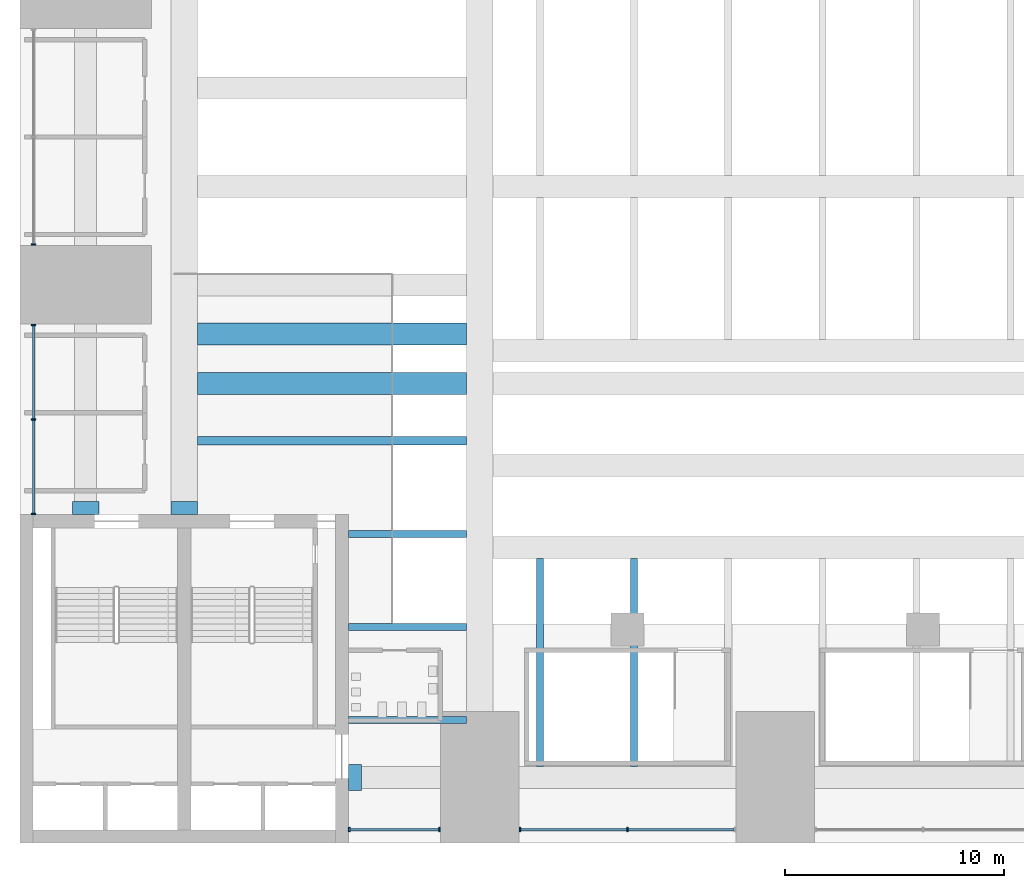
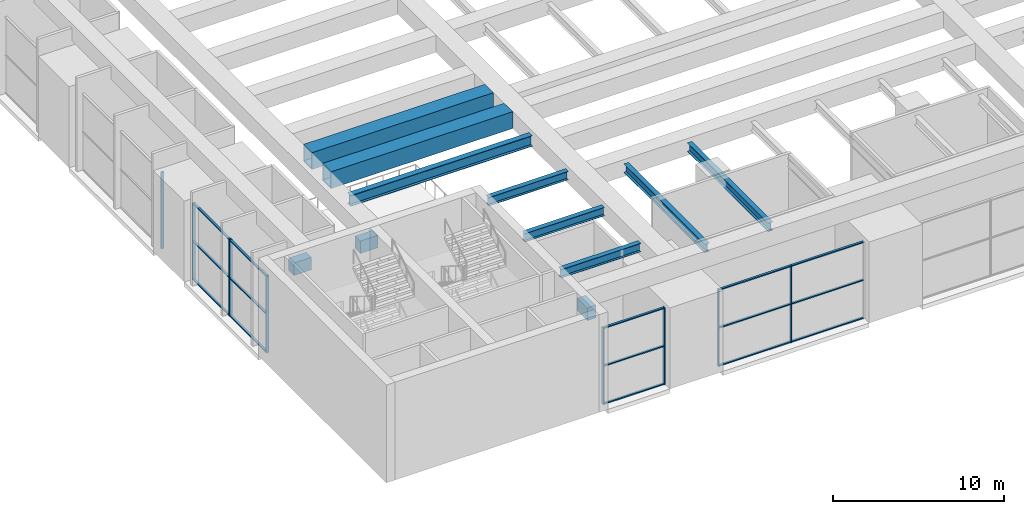
# One storey, part 2 of 45: 28 members, 6 beams, 4 elements without a shape of their own.
"""IFC4 building model written with IfcOpenShell, lengths in metres."""

from ifc_helpers import new_model, si_unit, direction, frame, origin, origin_2d, place, context, subcontext, project, spatial, rectangle, hollow_rectangle, i_section, extrude, material, layer, layer_set, material_profile, profile_set, type_object, element, aggregate, save


model = new_model("IFC4")

# Units and contexts
model_context = context("Model", 3, precision=1e-05, world=origin(), true_north=direction((0.0, 1.0)))
body_context = subcontext(model_context, "Body", "Model", "MODEL_VIEW")
ifc_project = project(units=[si_unit("LENGTHUNIT", "METRE"), si_unit("AREAUNIT", "SQUARE_METRE"), si_unit("VOLUMEUNIT", "CUBIC_METRE"), si_unit("PLANEANGLEUNIT", "RADIAN"), si_unit("MASSUNIT", "GRAM", prefix="KILO")], contexts=[model_context])

# Site, building, storey
site_placement = place(None, origin())
site = spatial("IfcSite", under=ifc_project, at=site_placement, CompositionType="ELEMENT")
building_placement = place(site_placement, origin())
building = spatial("IfcBuilding", under=site, at=building_placement, Name="Corbelhall Arena Tower", CompositionType="ELEMENT")
storey_placement = place(building_placement, frame((0.0, 0.0, 37.0)))
storey = spatial("IfcBuildingStorey", under=building, at=storey_placement, Name="L05", CompositionType="ELEMENT", Elevation=37.0)

# Curtain wall, members
ifc_material_1 = material(Name="Aluminium black anodised", Category="aluminium")
ifc_layer = layer(ifc_material_1, 0.239990234375)
ifc_layer_set = layer_set([ifc_layer], Name="EV-CW4 Arena concourse glazing")
curtain_wall_type = type_object("IfcCurtainWallType", Name="EV-CW4 Arena concourse glazing", PredefinedType="NOTDEFINED", material=ifc_layer_set)
curtain_wall_1_placement = place(storey_placement, origin())
curtain_wall_1 = element("IfcCurtainWall", 1, at=curtain_wall_1_placement, inside=storey, type_object=curtain_wall_type, Name="Curtain wall CW4A", PredefinedType="NOTDEFINED")
ifc_material_profile_1 = material_profile(ifc_material_1, rectangle(XDim=0.199951171875, YDim=0.074951171875, at=origin_2d()))
ifc_profile_set_1 = profile_set([ifc_material_profile_1], Name="Aluminium black anodised")
member_type_1 = type_object("IfcMemberType", Name="EV-CW4-MULLION", PredefinedType="MULLION", material=ifc_profile_set_1)
member_1_placement = place(storey_placement, frame((-32.96240234375, -38.3798828125, 0.0), z_axis=(0.0, 0.0, 1.0), x_axis=(0.0, 1.0, 0.0)))
member_1 = element("IfcMember", 2, at=member_1_placement, type_object=member_type_1, Name="CW4A mullion 1", PredefinedType="MULLION", context=body_context, shape_type="SweptSolid", body=[
    extrude(rectangle(XDim=0.199951171875, YDim=0.074951171875, at=origin_2d()), origin(), (0.0, 0.0, 1.0), 5.5),
])
member_2_placement = place(storey_placement, frame((-28.83740234375, -38.3798828125, 0.0), z_axis=(0.0, 0.0, 1.0), x_axis=(0.0, 1.0, 0.0)))
member_2 = element("IfcMember", 3, at=member_2_placement, type_object=member_type_1, Name="CW4A mullion 2", PredefinedType="MULLION", context=body_context, shape_type="SweptSolid", body=[
    extrude(rectangle(XDim=0.199951171875, YDim=0.074951171875, at=origin_2d()), origin(), (0.0, 0.0, 1.0), 5.5),
])

curtain_wall_2_placement = place(storey_placement, origin())
curtain_wall_2 = element("IfcCurtainWall", 4, at=curtain_wall_2_placement, inside=storey, type_object=curtain_wall_type, Name="Curtain wall CW4", PredefinedType="NOTDEFINED")
member_3_placement = place(storey_placement, frame((-25.16259765625, -38.3798828125, 0.0), z_axis=(0.0, 0.0, 1.0), x_axis=(0.0, 1.0, 0.0)))
member_3 = element("IfcMember", 5, at=member_3_placement, type_object=member_type_1, Name="CW4 mullion 1", PredefinedType="MULLION", context=body_context, shape_type="SweptSolid", body=[
    extrude(rectangle(XDim=0.199951171875, YDim=0.074951171875, at=origin_2d()), origin(), (0.0, 0.0, 1.0), 5.5),
])
member_4_placement = place(storey_placement, frame((-20.25, -38.3798828125, 0.0), z_axis=(0.0, 0.0, 1.0), x_axis=(0.0, 1.0, 0.0)))
member_4 = element("IfcMember", 6, at=member_4_placement, type_object=member_type_1, Name="CW4 mullion 2", PredefinedType="MULLION", context=body_context, shape_type="SweptSolid", body=[
    extrude(rectangle(XDim=0.199951171875, YDim=0.074951171875, at=origin_2d()), origin(), (0.0, 0.0, 1.0), 5.5),
])

# Curtain wall, member
curtain_wall_3_placement = place(storey_placement, origin())
curtain_wall_3 = element("IfcCurtainWall", 7, at=curtain_wall_3_placement, inside=storey, type_object=curtain_wall_type, Name="Curtain wall CW4", PredefinedType="NOTDEFINED")
member_5_placement = place(storey_placement, frame((-47.3798828125, -11.66259765625, 0.0), z_axis=(0.0, 0.0, 1.0), x_axis=(1.0, 0.0, 0.0)))
member_5 = element("IfcMember", 8, at=member_5_placement, type_object=member_type_1, Name="CW4 mullion 3", PredefinedType="MULLION", context=body_context, shape_type="SweptSolid", body=[
    extrude(rectangle(XDim=0.199951171875, YDim=0.074951171875, at=origin_2d()), origin(), (0.0, 0.0, 1.0), 5.5),
])
aggregate(curtain_wall_3, [member_5])

# Curtain wall, members
curtain_wall_4_placement = place(storey_placement, origin())
curtain_wall_4 = element("IfcCurtainWall", 9, at=curtain_wall_4_placement, inside=storey, type_object=curtain_wall_type, Name="Curtain wall CW4B", PredefinedType="NOTDEFINED")
member_6_placement = place(storey_placement, frame((-47.3798828125, -15.33740234375, 0.0), z_axis=(0.0, 0.0, 1.0), x_axis=(1.0, 0.0, 0.0)))
member_6 = element("IfcMember", 10, at=member_6_placement, type_object=member_type_1, Name="CW4B mullion 1", PredefinedType="MULLION", context=body_context, shape_type="SweptSolid", body=[
    extrude(rectangle(XDim=0.199951171875, YDim=0.074951171875, at=origin_2d()), origin(), (0.0, 0.0, 1.0), 5.5),
])
member_7_placement = place(storey_placement, frame((-47.3798828125, -19.64990234375, 0.0), z_axis=(0.0, 0.0, 1.0), x_axis=(1.0, 0.0, 0.0)))
member_7 = element("IfcMember", 11, at=member_7_placement, type_object=member_type_1, Name="CW4B mullion 2", PredefinedType="MULLION", context=body_context, shape_type="SweptSolid", body=[
    extrude(rectangle(XDim=0.199951171875, YDim=0.074951171875, at=origin_2d()), origin(), (0.0, 0.0, 1.0), 5.5),
])
member_8_placement = place(storey_placement, frame((-47.3798828125, -23.96240234375, 0.0), z_axis=(0.0, 0.0, 1.0), x_axis=(1.0, 0.0, 0.0)))
member_8 = element("IfcMember", 12, at=member_8_placement, type_object=member_type_1, Name="CW4B mullion 3", PredefinedType="MULLION", context=body_context, shape_type="SweptSolid", body=[
    extrude(rectangle(XDim=0.199951171875, YDim=0.074951171875, at=origin_2d()), origin(), (0.0, 0.0, 1.0), 5.5),
])

# Member
ifc_material_profile_2 = material_profile(ifc_material_1, rectangle(XDim=0.14990234375, YDim=0.074951171875, at=origin_2d()))
ifc_profile_set_2 = profile_set([ifc_material_profile_2], Name="Aluminium black anodised")
member_type_2 = type_object("IfcMemberType", Name="EV-CW4-TRANSOM", PredefinedType="USERDEFINED", material=ifc_profile_set_2)
member_9_placement = place(storey_placement, frame((-32.925048828125, -38.3798828125, 0.03759765625), z_axis=(1.0, 0.0, 0.0), x_axis=(0.0, 1.0, 0.0)))
member_9 = element("IfcMember", 13, at=member_9_placement, type_object=member_type_2, Name="CW4A transom 1.1", ObjectType="transom", PredefinedType="USERDEFINED", context=body_context, shape_type="SweptSolid", body=[
    extrude(rectangle(XDim=0.14990234375, YDim=0.074951171875, at=origin_2d()), origin(), (0.0, 0.0, 1.0), 4.050048828125),
])

member_10_placement = place(storey_placement, frame((-32.925048828125, -38.3798828125, 2.75), z_axis=(1.0, 0.0, 0.0), x_axis=(0.0, 1.0, 0.0)))
member_10 = element("IfcMember", 14, at=member_10_placement, type_object=member_type_2, Name="CW4A transom 1.2", ObjectType="transom", PredefinedType="USERDEFINED", context=body_context, shape_type="SweptSolid", body=[
    extrude(rectangle(XDim=0.14990234375, YDim=0.074951171875, at=origin_2d()), origin(), (0.0, 0.0, 1.0), 4.050048828125),
])

member_11_placement = place(storey_placement, frame((-32.925048828125, -38.3798828125, 5.46240234375), z_axis=(1.0, 0.0, 0.0), x_axis=(0.0, 1.0, 0.0)))
member_11 = element("IfcMember", 15, at=member_11_placement, type_object=member_type_2, Name="CW4A transom 1.3", ObjectType="transom", PredefinedType="USERDEFINED", context=body_context, shape_type="SweptSolid", body=[
    extrude(rectangle(XDim=0.14990234375, YDim=0.074951171875, at=origin_2d()), origin(), (0.0, 0.0, 1.0), 4.050048828125),
])

aggregate(curtain_wall_1, [member_1, member_2, member_9, member_10, member_11])

member_12_placement = place(storey_placement, frame((-25.125, -38.3798828125, 0.03759765625), z_axis=(1.0, 0.0, 0.0), x_axis=(0.0, 1.0, 0.0)))
member_12 = element("IfcMember", 16, at=member_12_placement, type_object=member_type_2, Name="CW4 transom 1.1", ObjectType="transom", PredefinedType="USERDEFINED", context=body_context, shape_type="SweptSolid", body=[
    extrude(rectangle(XDim=0.14990234375, YDim=0.074951171875, at=origin_2d()), origin(), (0.0, 0.0, 1.0), 4.83740234375),
])

member_13_placement = place(storey_placement, frame((-25.125, -38.3798828125, 2.75), z_axis=(1.0, 0.0, 0.0), x_axis=(0.0, 1.0, 0.0)))
member_13 = element("IfcMember", 17, at=member_13_placement, type_object=member_type_2, Name="CW4 transom 1.2", ObjectType="transom", PredefinedType="USERDEFINED", context=body_context, shape_type="SweptSolid", body=[
    extrude(rectangle(XDim=0.14990234375, YDim=0.074951171875, at=origin_2d()), origin(), (0.0, 0.0, 1.0), 4.83740234375),
])

member_14_placement = place(storey_placement, frame((-25.125, -38.3798828125, 5.46240234375), z_axis=(1.0, 0.0, 0.0), x_axis=(0.0, 1.0, 0.0)))
member_14 = element("IfcMember", 18, at=member_14_placement, type_object=member_type_2, Name="CW4 transom 1.3", ObjectType="transom", PredefinedType="USERDEFINED", context=body_context, shape_type="SweptSolid", body=[
    extrude(rectangle(XDim=0.14990234375, YDim=0.074951171875, at=origin_2d()), origin(), (0.0, 0.0, 1.0), 4.83740234375),
])

member_15_placement = place(storey_placement, frame((-20.21240234375, -38.3798828125, 0.03759765625), z_axis=(1.0, 0.0, 0.0), x_axis=(0.0, 1.0, 0.0)))
member_15 = element("IfcMember", 19, at=member_15_placement, type_object=member_type_2, Name="CW4 transom 2.1", ObjectType="transom", PredefinedType="USERDEFINED", context=body_context, shape_type="SweptSolid", body=[
    extrude(rectangle(XDim=0.14990234375, YDim=0.074951171875, at=origin_2d()), origin(), (0.0, 0.0, 1.0), 4.83740234375),
])

member_16_placement = place(storey_placement, frame((-20.21240234375, -38.3798828125, 2.75), z_axis=(1.0, 0.0, 0.0), x_axis=(0.0, 1.0, 0.0)))
member_16 = element("IfcMember", 20, at=member_16_placement, type_object=member_type_2, Name="CW4 transom 2.2", ObjectType="transom", PredefinedType="USERDEFINED", context=body_context, shape_type="SweptSolid", body=[
    extrude(rectangle(XDim=0.14990234375, YDim=0.074951171875, at=origin_2d()), origin(), (0.0, 0.0, 1.0), 4.83740234375),
])

member_17_placement = place(storey_placement, frame((-20.21240234375, -38.3798828125, 5.46240234375), z_axis=(1.0, 0.0, 0.0), x_axis=(0.0, 1.0, 0.0)))
member_17 = element("IfcMember", 21, at=member_17_placement, type_object=member_type_2, Name="CW4 transom 2.3", ObjectType="transom", PredefinedType="USERDEFINED", context=body_context, shape_type="SweptSolid", body=[
    extrude(rectangle(XDim=0.14990234375, YDim=0.074951171875, at=origin_2d()), origin(), (0.0, 0.0, 1.0), 4.83740234375),
])

aggregate(curtain_wall_2, [member_3, member_4, member_12, member_13, member_14, member_15, member_16, member_17])

member_18_placement = place(storey_placement, frame((-47.3798828125, -15.375, 0.03759765625), z_axis=(0.0, -1.0, 0.0), x_axis=(1.0, 0.0, 0.0)))
member_18 = element("IfcMember", 22, at=member_18_placement, type_object=member_type_2, Name="CW4B transom 1.1", ObjectType="transom", PredefinedType="USERDEFINED", context=body_context, shape_type="SweptSolid", body=[
    extrude(rectangle(XDim=0.14990234375, YDim=0.074951171875, at=origin_2d()), origin(), (0.0, 0.0, 1.0), 4.237548828125),
])

member_19_placement = place(storey_placement, frame((-47.3798828125, -15.375, 2.75), z_axis=(0.0, -1.0, 0.0), x_axis=(1.0, 0.0, 0.0)))
member_19 = element("IfcMember", 23, at=member_19_placement, type_object=member_type_2, Name="CW4B transom 1.2", ObjectType="transom", PredefinedType="USERDEFINED", context=body_context, shape_type="SweptSolid", body=[
    extrude(rectangle(XDim=0.14990234375, YDim=0.074951171875, at=origin_2d()), origin(), (0.0, 0.0, 1.0), 4.237548828125),
])

member_20_placement = place(storey_placement, frame((-47.3798828125, -15.375, 5.46240234375), z_axis=(0.0, -1.0, 0.0), x_axis=(1.0, 0.0, 0.0)))
member_20 = element("IfcMember", 24, at=member_20_placement, type_object=member_type_2, Name="CW4B transom 1.3", ObjectType="transom", PredefinedType="USERDEFINED", context=body_context, shape_type="SweptSolid", body=[
    extrude(rectangle(XDim=0.14990234375, YDim=0.074951171875, at=origin_2d()), origin(), (0.0, 0.0, 1.0), 4.237548828125),
])

member_21_placement = place(storey_placement, frame((-47.3798828125, -19.6875, 0.03759765625), z_axis=(0.0, -1.0, 0.0), x_axis=(1.0, 0.0, 0.0)))
member_21 = element("IfcMember", 25, at=member_21_placement, type_object=member_type_2, Name="CW4B transom 2.1", ObjectType="transom", PredefinedType="USERDEFINED", context=body_context, shape_type="SweptSolid", body=[
    extrude(rectangle(XDim=0.14990234375, YDim=0.074951171875, at=origin_2d()), origin(), (0.0, 0.0, 1.0), 4.237548828125),
])

member_22_placement = place(storey_placement, frame((-47.3798828125, -19.6875, 2.75), z_axis=(0.0, -1.0, 0.0), x_axis=(1.0, 0.0, 0.0)))
member_22 = element("IfcMember", 26, at=member_22_placement, type_object=member_type_2, Name="CW4B transom 2.2", ObjectType="transom", PredefinedType="USERDEFINED", context=body_context, shape_type="SweptSolid", body=[
    extrude(rectangle(XDim=0.14990234375, YDim=0.074951171875, at=origin_2d()), origin(), (0.0, 0.0, 1.0), 4.237548828125),
])

member_23_placement = place(storey_placement, frame((-47.3798828125, -19.6875, 5.46240234375), z_axis=(0.0, -1.0, 0.0), x_axis=(1.0, 0.0, 0.0)))
member_23 = element("IfcMember", 27, at=member_23_placement, type_object=member_type_2, Name="CW4B transom 2.3", ObjectType="transom", PredefinedType="USERDEFINED", context=body_context, shape_type="SweptSolid", body=[
    extrude(rectangle(XDim=0.14990234375, YDim=0.074951171875, at=origin_2d()), origin(), (0.0, 0.0, 1.0), 4.237548828125),
])

aggregate(curtain_wall_4, [member_6, member_7, member_8, member_18, member_19, member_20, member_21, member_22, member_23])

# Beams
ifc_material_2 = material(Name="Steel ASTM A992 Gr50", Category="steel")
ifc_material_profile_3 = material_profile(ifc_material_2, i_section(OverallWidth=0.323974609375, OverallDepth=0.611083984375, WebThickness=0.0126953125, FlangeThickness=0.01904296875, at=origin_2d()))
ifc_profile_set_3 = profile_set([ifc_material_profile_3], Name="Steel ASTM A992 Gr50")
beam_type_1 = type_object("IfcBeamType", Name="PO-BEAM-W24X104", PredefinedType="BEAM", material=ifc_profile_set_3)
for number, where, z_axis, x_axis, name in (
    (28, (-33.0, -33.375, 6.39453125), (1.0, 0.0, 0.0), (0.0, 1.0, 0.0), "DECK BEAM BOT 12.1"),
    (29, (-33.0, -29.125, 6.39453125), (1.0, 0.0, 0.0), (0.0, 1.0, 0.0), "DECK BEAM BOT 12.2"),
    (30, (-33.0, -24.875, 6.39453125), (1.0, 0.0, 0.0), (0.0, 1.0, 0.0), "DECK BEAM BOT 12.3"),
):
    element("IfcBeam", number, at=place(storey_placement, frame(where, z_axis=z_axis, x_axis=x_axis)), inside=storey, type_object=beam_type_1, Name=name, PredefinedType="BEAM", context=body_context, shape_type="SweptSolid", body=[
        extrude(i_section(OverallWidth=0.323974609375, OverallDepth=0.611083984375, WebThickness=0.0126953125, FlangeThickness=0.01904296875, at=origin_2d()), origin(), (0.0, 0.0, 1.0), 5.39990234375),
    ])
for number, where, z_axis, x_axis, name in (
    (31, (-24.25, -35.5, 6.39453125), (0.0, 1.0, 0.0), (-1.0, 0.0, 0.0), "DECK BEAM BOT 17.1"),
    (32, (-19.949951171875, -35.5, 6.39453125), (0.0, 1.0, 0.0), (-1.0, 0.0, 0.0), "DECK BEAM BOT 17.2"),
):
    element("IfcBeam", number, at=place(storey_placement, frame(where, z_axis=z_axis, x_axis=x_axis)), inside=storey, type_object=beam_type_1, Name=name, PredefinedType="BEAM", context=body_context, shape_type="SweptSolid", body=[
        extrude(i_section(OverallWidth=0.323974609375, OverallDepth=0.611083984375, WebThickness=0.0126953125, FlangeThickness=0.01904296875, at=origin_2d()), origin(), (0.0, 0.0, 1.0), 9.5),
    ])
ifc_material_profile_4 = material_profile(ifc_material_2, i_section(OverallWidth=0.381103515625, OverallDepth=0.77294921875, WebThickness=0.0166015625, FlangeThickness=0.027099609375, at=origin_2d()))
ifc_profile_set_4 = profile_set([ifc_material_profile_4], Name="Steel ASTM A992 Gr50")
beam_type_2 = type_object("IfcBeamType", Name="PO-BEAM-W30X173", PredefinedType="BEAM", material=ifc_profile_set_4)
beam_placement = place(storey_placement, frame((-39.89990234375, -20.625, 6.3134765625), z_axis=(1.0, 0.0, 0.0), x_axis=(0.0, 1.0, 0.0)))
element("IfcBeam", 33, at=beam_placement, inside=storey, type_object=beam_type_2, Name="DECK BEAM BOT 12.4", PredefinedType="BEAM", context=body_context, shape_type="SweptSolid", body=[
    extrude(i_section(OverallWidth=0.381103515625, OverallDepth=0.77294921875, WebThickness=0.0166015625, FlangeThickness=0.027099609375, at=origin_2d()), origin(), (0.0, 0.0, 1.0), 12.2998046875),
])

# Members
ifc_material_3 = material(Name="Steel ASTM A572 Gr50", Category="steel")
ifc_material_profile_5 = material_profile(ifc_material_3, hollow_rectangle(XDim=1.0, YDim=1.199951171875, WallThickness=0.06005859375, at=origin_2d()))
ifc_profile_set_5 = profile_set([ifc_material_profile_5], Name="Steel ASTM A572 Gr50")
member_type_3 = type_object("IfcMemberType", Name="PO-CHORD-1200X1000X60", PredefinedType="CHORD", material=ifc_profile_set_5)
for number, where, z_axis, x_axis, name in (
    (34, (-39.89990234375, -18.0, 6.39990234375), (1.0, 0.0, 0.0), (0.0, 1.0, 0.0), "TRUSS SEC-S18.00-0 BOT CHORD"),
    (35, (-39.89990234375, -15.75, 6.39990234375), (1.0, 0.0, 0.0), (0.0, 1.0, 0.0), "TRUSS SEC-S15.75-0 BOT CHORD"),
):
    element("IfcMember", number, at=place(storey_placement, frame(where, z_axis=z_axis, x_axis=x_axis)), inside=storey, type_object=member_type_3, Name=name, PredefinedType="CHORD", context=body_context, shape_type="SweptSolid", body=[
        extrude(hollow_rectangle(XDim=1.0, YDim=1.199951171875, WallThickness=0.06005859375, at=origin_2d()), origin(), (0.0, 0.0, 1.0), 12.2998046875),
    ])
ifc_material_4 = material(Name="Concrete C80/95", Category="concrete")
ifc_material_profile_6 = material_profile(ifc_material_4, rectangle(XDim=1.199951171875, YDim=0.89990234375, at=origin_2d()))
ifc_profile_set_6 = profile_set([ifc_material_profile_6], Name="Concrete C80/95")
member_type_4 = type_object("IfcMemberType", Name="PO-CORBEL", PredefinedType="MEMBER", material=ifc_profile_set_6)
for number, where, z_axis, x_axis, name in (
    (36, (-40.5, -24.0, 5.35009765625), (0.0, 1.0, 0.0), (-1.0, 0.0, 0.0), "CORBEL SW PRI"),
    (37, (-33.0, -36.0, 5.35009765625), (1.0, 0.0, 0.0), (0.0, 1.0, 0.0), "CORBEL SW EDGENS"),
    (38, (-45.0, -24.0, 5.35009765625), (0.0, 1.0, 0.0), (-1.0, 0.0, 0.0), "CORBEL SW EDGEEW"),
):
    element("IfcMember", number, at=place(storey_placement, frame(where, z_axis=z_axis, x_axis=x_axis)), inside=storey, type_object=member_type_4, Name=name, PredefinedType="MEMBER", context=body_context, shape_type="SweptSolid", body=[
        extrude(rectangle(XDim=1.199951171875, YDim=0.89990234375, at=origin_2d()), origin(), (0.0, 0.0, 1.0), 0.60009765625),
    ])

save(model, "model.ifc")
